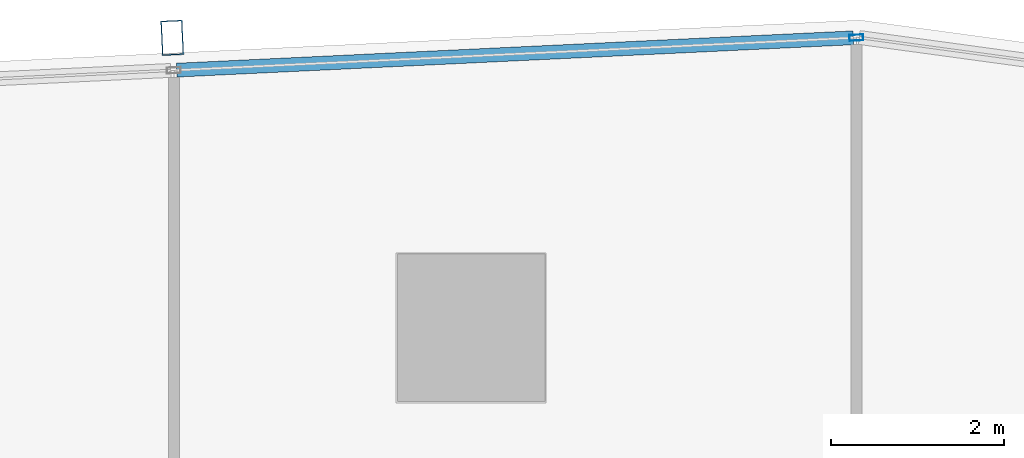
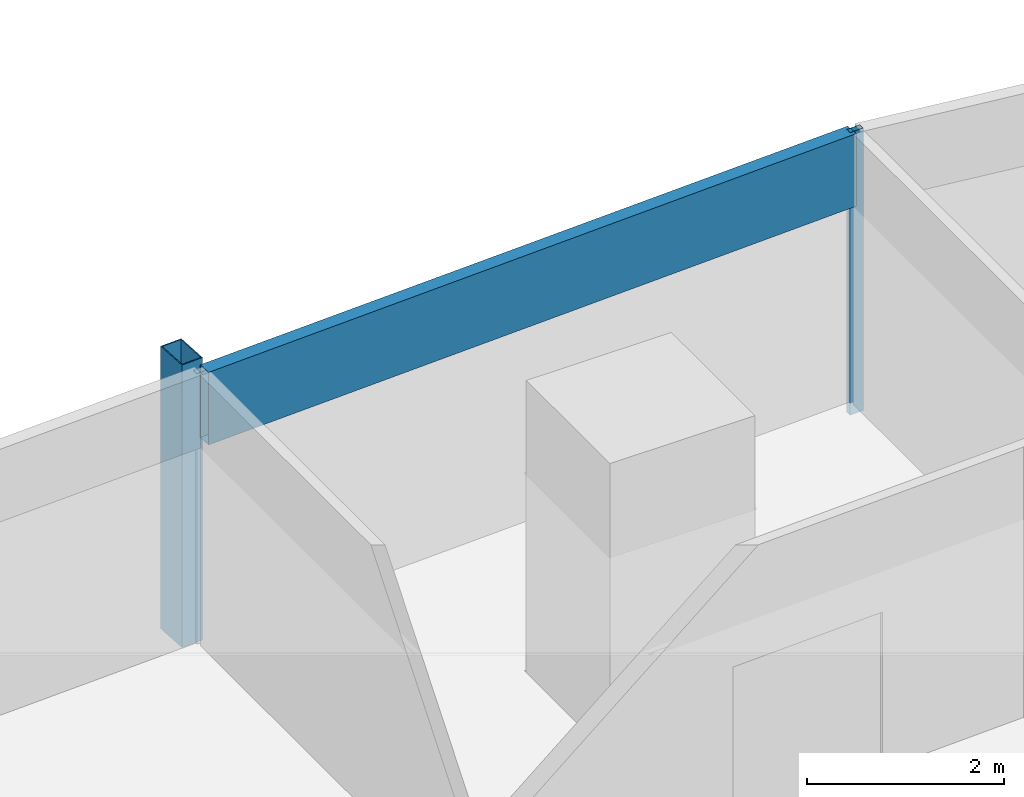
# One storey, part 22 of 34: 3 members, 1 element without a shape of its own.
"""IFC4 building model written with IfcOpenShell, lengths in metres."""

import ifcopenshell
import ifcopenshell.guid

model = None  # the IFC model being written
_history = None  # IfcOwnerHistory: only IFC2X3 demands one
_inside = {}  # id of a spatial element -> (the spatial element, [elements in it])
_under = {}  # id of a project, library or spatial element -> (it, [spatial elements below it])
_declared = {}  # id of a project -> (the project, [libraries it declares])
_typed = {}  # id of a type object -> (the type object, [elements of that type])
_made_of = {}  # id of a material, layer set ... -> (it, [elements and type objects made of it])


def new_model(schema):
    """Start an empty IFC model of exactly this schema.

    Asked for "IFC4X3", IfcOpenShell would pick the latest addendum, in which some entities
    have other attributes; the version numbers below select the first issue.
    IFC2X3 requires an IfcOwnerHistory on every rooted entity: one is made here for all.
    """
    global model, _history
    if schema == "IFC4X3":
        model = ifcopenshell.file(schema_version=(4, 3, 0, 0))
    else:
        model = ifcopenshell.file(schema=schema)
    _inside.clear()
    _under.clear()
    _declared.clear()
    _typed.clear()
    _made_of.clear()
    _history = None
    if model.schema == "IFC2X3":
        org = make("IfcOrganization", Name="unknown")
        user = make(
            "IfcPersonAndOrganization",
            ThePerson=make("IfcPerson", FamilyName="unknown"),
            TheOrganization=org,
        )
        app = make(
            "IfcApplication",
            ApplicationDeveloper=org,
            Version="unknown",
            ApplicationFullName="unknown",
            ApplicationIdentifier="unknown",
        )
        _history = make(
            "IfcOwnerHistory",
            OwningUser=user,
            OwningApplication=app,
            ChangeAction="ADDED",
            CreationDate=0,
        )
    return model


def make(cls, **values):
    """One entity of the class cls with the attributes given. An attribute that is None is left unset."""
    return model.create_entity(
        cls, **{name: value for name, value in values.items() if value is not None}
    )


def rooted(cls, **values):
    """An entity with a GlobalId (a new one), such as an element, a storey or a relation."""
    return make(cls, GlobalId=ifcopenshell.guid.new(), OwnerHistory=_history, **values)


def si_unit(unit_type, name, prefix=None):
    """IfcSIUnit, for example si_unit("LENGTHUNIT", "METRE", prefix="MILLI")."""
    return make("IfcSIUnit", UnitType=unit_type, Prefix=prefix, Name=name)


def assignment(units):
    """IfcUnitAssignment: the units of a project."""
    return None if units is None else make("IfcUnitAssignment", Units=units)


def point(xyz):
    """IfcCartesianPoint."""
    return None if xyz is None else make("IfcCartesianPoint", Coordinates=xyz)


def direction(xyz):
    """IfcDirection."""
    return None if xyz is None else make("IfcDirection", DirectionRatios=xyz)


def frame(location, z_axis=None, x_axis=None):
    """IfcAxis2Placement3D, a coordinate frame: its origin and axes. An axis left out is left unset."""
    return make(
        "IfcAxis2Placement3D",
        Location=point(location),
        Axis=direction(z_axis),
        RefDirection=direction(x_axis),
    )


def frame_2d(location, x_axis=None):
    """IfcAxis2Placement2D, a coordinate frame in the plane: its origin and x axis."""
    return make(
        "IfcAxis2Placement2D", Location=point(location), RefDirection=direction(x_axis)
    )


def origin():
    """The frame at (0, 0, 0) with its axes left unset."""
    return frame((0.0, 0.0, 0.0))


def origin_2d():
    """The frame at (0, 0) in the plane with its x axis left unset."""
    return frame_2d((0.0, 0.0))


def place(relative_to, where):
    """IfcLocalPlacement: puts the frame where relative to a parent placement (None: the world)."""
    return make(
        "IfcLocalPlacement", PlacementRelTo=relative_to, RelativePlacement=where
    )


def context(
    kind, dimensions, precision=None, world=None, true_north=None, identifier=None
):
    """IfcGeometricRepresentationContext, for example the 3D "Model" context."""
    return make(
        "IfcGeometricRepresentationContext",
        ContextIdentifier=identifier,
        ContextType=kind,
        CoordinateSpaceDimension=dimensions,
        Precision=precision,
        WorldCoordinateSystem=world,
        TrueNorth=true_north,
    )


def subcontext(parent, identifier, kind, view, scale=None):
    """IfcGeometricRepresentationSubContext, for example "Body" below "Model"."""
    return make(
        "IfcGeometricRepresentationSubContext",
        ContextIdentifier=identifier,
        ContextType=kind,
        ParentContext=parent,
        TargetScale=scale,
        TargetView=view,
    )


def project(units=None, contexts=None):
    """IfcProject with its units and contexts."""
    return rooted(
        "IfcProject",
        Name="project",
        RepresentationContexts=contexts,
        UnitsInContext=assignment(units),
    )


def spatial(cls, under=None, at=None, **own):
    """A site, building, storey or space (cls), placed at a placement, below another one or the project."""
    s = rooted(cls, ObjectPlacement=at, **own)
    if under is not None:
        _under.setdefault(under.id(), (under, []))[1].append(s)
    return s


def profile(cls, at=None, kind="AREA", **sizes):
    """A parametric profile (cls). Its sizes go by their IFC names, for example OverallWidth=200.0."""
    return make(cls, ProfileType=kind, Position=at, **sizes)


def hollow_rectangle(**sizes):
    """IfcRectangleHollowProfileDef."""
    return profile("IfcRectangleHollowProfileDef", **sizes)


def extrude(swept, where, along, depth):
    """IfcExtrudedAreaSolid: the profile swept, set in the frame where, extruded along a direction by depth."""
    return make(
        "IfcExtrudedAreaSolid",
        SweptArea=swept,
        Position=where,
        ExtrudedDirection=direction(along),
        Depth=depth,
    )


def shape(context_of_items, identifier, shape_type, items):
    """IfcShapeRepresentation: the items that make up one representation, for example the "Body"."""
    return make(
        "IfcShapeRepresentation",
        ContextOfItems=context_of_items,
        RepresentationIdentifier=identifier,
        RepresentationType=shape_type,
        Items=items,
    )


def material(Name=None, Category=None):
    """IfcMaterial."""
    return make("IfcMaterial", Name=Name, Category=Category)


def material_profile(
    of_material, cross_section, Name=None, Category=None, Priority=None
):
    """IfcMaterialProfile: a cross section and its material."""
    return make(
        "IfcMaterialProfile",
        Name=Name,
        Material=of_material,
        Profile=cross_section,
        Priority=Priority,
        Category=Category,
    )


def profile_set(profiles, Name=None, composite=None):
    """IfcMaterialProfileSet."""
    return make(
        "IfcMaterialProfileSet",
        Name=Name,
        MaterialProfiles=profiles,
        CompositeProfile=composite,
    )


def made_of(thing, what):
    """Note that an element or type object is made of a material, layer set ...; save() writes the relation."""
    if what is not None:
        _made_of.setdefault(what.id(), (what, []))[1].append(thing)
    return thing


def type_object(cls, material=None, **own):
    """A type object (cls), such as IfcWallType, which elements share."""
    return made_of(rooted(cls, **own), material)


def element(
    cls,
    number,
    at=None,
    inside=None,
    cuts=None,
    type_object=None,
    material=None,
    context=None,
    identifier="Body",
    shape_type=None,
    held_by="IfcProductDefinitionShape",
    body=None,
    shapes=None,
    **own,
):
    """One element of the class cls, such as IfcWall. Its Tag is "e" and its number.

    at: its placement. inside: the storey or other place that contains it. cuts: it is an
    opening in that element (IfcRelVoidsElement). A single representation is given by context,
    identifier, shape_type and body (its items); several are given by shapes. held_by: the class
    of the entity that holds the representations. save() writes the other relations.
    """
    e = rooted(cls, Tag="e%d" % number, ObjectPlacement=at, **own)
    if body is not None:
        shapes = [shape(context, identifier, shape_type, body)]
    if shapes is not None:
        e.Representation = make(held_by, Representations=shapes)
    if inside is not None:
        _inside.setdefault(inside.id(), (inside, []))[1].append(e)
    if cuts is not None:
        rooted(
            "IfcRelVoidsElement", RelatingBuildingElement=cuts, RelatedOpeningElement=e
        )
    if type_object is not None:
        _typed.setdefault(type_object.id(), (type_object, []))[1].append(e)
    return made_of(e, material)


def aggregate(whole, parts):
    """IfcRelAggregates: a whole, such as a stair, and the parts it consists of."""
    return rooted("IfcRelAggregates", RelatingObject=whole, RelatedObjects=parts)


def save(model, path):
    """Write the relations noted so far, then the file.

    IfcRelAggregates (storeys below a building ...), IfcRelContainedInSpatialStructure (elements
    in a storey), IfcRelDefinesByType, IfcRelAssociatesMaterial and IfcRelDeclares: one each for
    every whole, place, type object, material and project.
    """
    for whole, parts in _under.values():
        aggregate(whole, parts)
    for where, things in _inside.values():
        rooted(
            "IfcRelContainedInSpatialStructure",
            RelatedElements=things,
            RelatingStructure=where,
        )
    for kind, things in _typed.values():
        rooted("IfcRelDefinesByType", RelatedObjects=things, RelatingType=kind)
    for what, things in _made_of.values():
        rooted("IfcRelAssociatesMaterial", RelatedObjects=things, RelatingMaterial=what)
    for by, libraries in _declared.values():
        rooted("IfcRelDeclares", RelatingContext=by, RelatedDefinitions=libraries)
    model.write(path)


model = new_model("IFC4")

# Units and contexts
model_context = context("Model", 3, precision=1e-05, world=origin(), true_north=direction((0.0, 1.0)))
body_context = subcontext(model_context, "Body", "Model", "MODEL_VIEW")
ifc_project = project(units=[si_unit("LENGTHUNIT", "METRE"), si_unit("AREAUNIT", "SQUARE_METRE"), si_unit("VOLUMEUNIT", "CUBIC_METRE"), si_unit("PLANEANGLEUNIT", "RADIAN"), si_unit("MASSUNIT", "GRAM", prefix="KILO")], contexts=[model_context])

# Site, building, storey
site_placement = place(None, origin())
site = spatial("IfcSite", under=ifc_project, at=site_placement, CompositionType="ELEMENT")
building_placement = place(site_placement, origin())
building = spatial("IfcBuilding", under=site, at=building_placement, Name="Rekha Terrace Tower", CompositionType="ELEMENT")
storey_placement = place(building_placement, frame((0.0, 0.0, 176.449951171875)))
storey = spatial("IfcBuildingStorey", under=building, at=storey_placement, Name="L44", CompositionType="ELEMENT", Elevation=176.449951171875)

# Curtain wall, members
ifc_material_1 = material(Name="Aluminium framing", Category="aluminium")
curtain_wall_type = type_object("IfcCurtainWallType", Name="CW3 north unitised glazing", PredefinedType="USERDEFINED", material=ifc_material_1)
curtain_wall_placement = place(storey_placement, origin())
curtain_wall = element("IfcCurtainWall", 1, at=curtain_wall_placement, inside=storey, type_object=curtain_wall_type, Name="CW3 unitised curtain wall", ObjectType="UNITISED CURTAIN WALL", PredefinedType="USERDEFINED")
ifc_material_2 = material(Name="Steel S355 with fluorocarbon finish", Category="steel")
ifc_material_profile_1 = material_profile(ifc_material_2, hollow_rectangle(XDim=0.25, YDim=0.39990234375, WallThickness=0.012451171875, at=origin_2d()), Name="RHS400x250x12.5")
ifc_profile_set_1 = profile_set([ifc_material_profile_1], Name="Steel S355 with fluorocarbon finish")
member_type_1 = type_object("IfcMemberType", Name="BL1 facade blade RHS 400 x 250", PredefinedType="USERDEFINED", material=ifc_profile_set_1)
member_1_placement = place(storey_placement, frame((38.55224609375, 62.145751953125, 0.0), z_axis=(0.0, 0.0, 1.0), x_axis=(-0.998858913274, -0.04775846913, 0.0)))
member_1 = element("IfcMember", 2, at=member_1_placement, type_object=member_type_1, Name="Facade blade", ObjectType="FACADE BLADE", PredefinedType="USERDEFINED", context=body_context, shape_type="SweptSolid", body=[
    extrude(hollow_rectangle(XDim=0.25, YDim=0.39990234375, WallThickness=0.012451171875, at=origin_2d()), origin(), (0.0, 0.0, 1.0), 3.5),
])
ifc_material_3 = material(Name="Aluminium mullion section", Category="aluminium")
ifc_material_profile_2 = material_profile(ifc_material_3, hollow_rectangle(XDim=0.070068359375, YDim=0.159912109375, WallThickness=0.00390625, at=origin_2d()), Name="AL RHS 70x160")
ifc_profile_set_2 = profile_set([ifc_material_profile_2], Name="Aluminium mullion section")
member_type_2 = type_object("IfcMemberType", Name="CW3 mullion RHS 70 x 160", PredefinedType="MULLION", material=ifc_profile_set_2)
member_2_placement = place(storey_placement, frame((46.4443359375, 62.147705078125, 0.0), z_axis=(0.0, 0.0, 1.0), x_axis=(0.047758616983, -0.998858906204, 0.0)))
member_2 = element("IfcMember", 3, at=member_2_placement, type_object=member_type_2, Name="CW3 mullion 1", PredefinedType="MULLION", context=body_context, shape_type="SweptSolid", body=[
    extrude(hollow_rectangle(XDim=0.070068359375, YDim=0.159912109375, WallThickness=0.00390625, at=origin_2d()), origin(), (0.0, 0.0, 1.0), 3.5),
])
ifc_material_4 = material(Name="Insulated aluminium spandrel box", Category="aluminium")
ifc_material_profile_3 = material_profile(ifc_material_4, hollow_rectangle(XDim=0.159912109375, YDim=0.89990234375, WallThickness=0.0029296875, at=origin_2d()), Name="AL SPANDREL BOX 160x900")
ifc_profile_set_3 = profile_set([ifc_material_profile_3], Name="Insulated aluminium spandrel box")
member_type_3 = type_object("IfcMemberType", Name="CW3 spandrel transom 160 x 900", PredefinedType="USERDEFINED", material=ifc_profile_set_3)
member_3_placement = place(storey_placement, frame((46.4091796875, 62.14599609375, 3.050048828125), z_axis=(-0.998859425172, -0.047747761666, 0.0), x_axis=(0.047747761666, -0.998859425172, 0.0)))
member_3 = element("IfcMember", 4, at=member_3_placement, type_object=member_type_3, Name="CW3 spandrel transom 1", ObjectType="TRANSOM", PredefinedType="USERDEFINED", context=body_context, shape_type="SweptSolid", body=[
    extrude(hollow_rectangle(XDim=0.159912109375, YDim=0.89990234375, WallThickness=0.0029296875, at=origin_2d()), origin(), (0.0, 0.0, 1.0), 7.81298828125),
])
aggregate(curtain_wall, [member_2, member_3, member_1])

save(model, "model.ifc")
